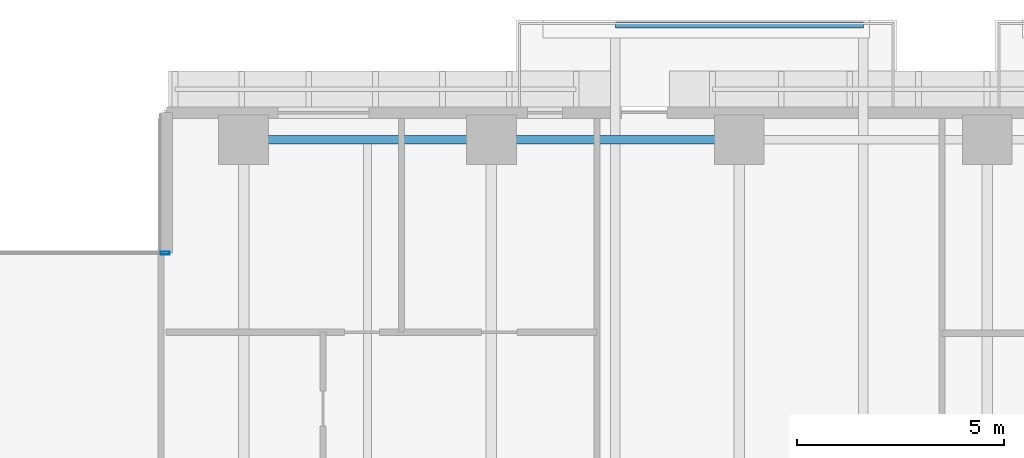
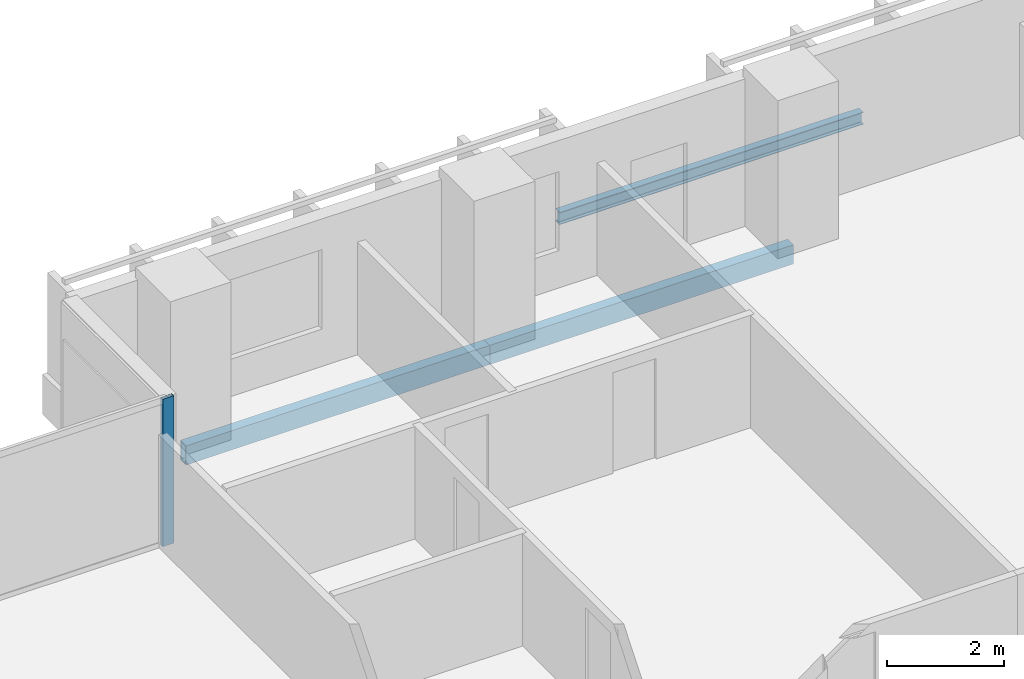
# One storey, part 12 of 33: 3 beams, 1 member, 1 element without a shape of its own.
"""IFC4 building model written with IfcOpenShell, lengths in metres."""

from ifc_helpers import new_model, si_unit, direction, frame, origin, origin_2d, place, context, subcontext, project, spatial, hollow_rectangle, i_section, extrude, material, layer, layer_set, material_profile, profile_set, type_object, element, aggregate, save


model = new_model("IFC4")

# Units and contexts
model_context = context("Model", 3, precision=1e-05, world=origin(), true_north=direction((0.0, 1.0)))
body_context = subcontext(model_context, "Body", "Model", "MODEL_VIEW")
ifc_project = project(units=[si_unit("LENGTHUNIT", "METRE"), si_unit("AREAUNIT", "SQUARE_METRE"), si_unit("VOLUMEUNIT", "CUBIC_METRE"), si_unit("PLANEANGLEUNIT", "RADIAN"), si_unit("MASSUNIT", "GRAM", prefix="KILO")], contexts=[model_context])

# Site, building, storey
site_placement = place(None, origin())
site = spatial("IfcSite", under=ifc_project, at=site_placement, CompositionType="ELEMENT")
building_placement = place(site_placement, origin())
building = spatial("IfcBuilding", under=site, at=building_placement, Name="Tanjung Sevakor Pilgrim Tower", CompositionType="ELEMENT")
storey_placement = place(building_placement, frame((0.0, 0.0, 52.139892578125)))
storey = spatial("IfcBuildingStorey", under=building, at=storey_placement, Name="L14", CompositionType="ELEMENT", Elevation=52.139892578125)

# Beams
ifc_material_1 = material(Name="Steel S355J2", Category="steel")
ifc_material_profile_1 = material_profile(ifc_material_1, i_section(OverallWidth=0.146484375, OverallDepth=0.256103515625, WebThickness=0.00634765625, FlangeThickness=0.010986328125, FilletRadius=0.007568359375, at=origin_2d()))
ifc_profile_set_1 = profile_set([ifc_material_profile_1], Name="Steel S355J2")
beam_type_1 = type_object("IfcBeamType", Name="BM-B-J6-UB_254x146x37", PredefinedType="JOIST", material=ifc_profile_set_1)
beam_placement = place(storey_placement, frame((63.0, 61.580078125, -0.327880859375), z_axis=(1.0, 0.0, 0.0), x_axis=(0.0, 1.0, 0.0)))
element("IfcBeam", 1, at=beam_placement, inside=storey, type_object=beam_type_1, Name="L14 Balcony Rim Tie MAIN-N2", PredefinedType="JOIST", context=body_context, shape_type="SweptSolid", body=[
    extrude(i_section(OverallWidth=0.146484375, OverallDepth=0.256103515625, WebThickness=0.00634765625, FlangeThickness=0.010986328125, FilletRadius=0.007568359375, at=origin_2d()), origin(), (0.0, 0.0, 1.0), 6.0),
])
ifc_material_2 = material(Name="Steel S355J2", Category="steel")
ifc_material_profile_2 = material_profile(ifc_material_2, hollow_rectangle(XDim=0.199951171875, YDim=0.39990234375, WallThickness=0.01611328125, at=origin_2d()))
ifc_profile_set_2 = profile_set([ifc_material_profile_2], Name="Steel S355J2")
beam_type_2 = type_object("IfcBeamType", Name="BM-B-SP2-RHS_400x200x16", PredefinedType="SPANDREL", material=ifc_profile_set_2)
for number, where, z_axis, x_axis, name in (
    (2, (54.0, 58.800048828125, -0.419921875), (1.0, 0.0, 0.0), (0.0, 1.0, 0.0), "L14 Spandrel MAIN N-08"),
    (3, (60.0, 58.800048828125, -0.419921875), (1.0, 0.0, 0.0), (0.0, 1.0, 0.0), "L14 Spandrel MAIN N-10"),
):
    element("IfcBeam", number, at=place(storey_placement, frame(where, z_axis=z_axis, x_axis=x_axis)), inside=storey, type_object=beam_type_2, Name=name, PredefinedType="SPANDREL", context=body_context, shape_type="SweptSolid", body=[
        extrude(hollow_rectangle(XDim=0.199951171875, YDim=0.39990234375, WallThickness=0.01611328125, at=origin_2d()), origin(), (0.0, 0.0, 1.0), 6.0),
    ])

# Curtain wall, member
ifc_material_3 = material(Name="Aluminium 6063-T6 and Low-E Glass", Category="aluminium")
ifc_layer = layer(ifc_material_3, 0.179931640625)
ifc_layer_set = layer_set([ifc_layer], Name="CW-SYS-CLEFT")
curtain_wall_type = type_object("IfcCurtainWallType", Name="CW-SYS-CLEFT", PredefinedType="NOTDEFINED", material=ifc_layer_set)
curtain_wall_placement = place(storey_placement, origin())
curtain_wall = element("IfcCurtainWall", 4, at=curtain_wall_placement, inside=storey, type_object=curtain_wall_type, Name="L14 Curtain Wall CW-CLF-L14-10", PredefinedType="NOTDEFINED")
ifc_material_4 = material(Name="Aluminium 6063-T6", Category="aluminium")
ifc_material_profile_3 = material_profile(ifc_material_4, hollow_rectangle(XDim=0.074951171875, YDim=0.219970703125, WallThickness=0.0048828125, at=origin_2d()))
ifc_profile_set_3 = profile_set([ifc_material_profile_3], Name="Aluminium 6063-T6")
member_type = type_object("IfcMemberType", Name="TYPE-CWM-2", PredefinedType="MULLION", material=ifc_profile_set_3)
member_placement = place(storey_placement, frame((52.1025390625, 56.06005859375, 0.0), z_axis=(0.0, 0.0, 1.0), x_axis=(0.0, -1.0, 0.0)))
member = element("IfcMember", 5, at=member_placement, type_object=member_type, Name="CW-CLF mullion 1", PredefinedType="MULLION", context=body_context, shape_type="SweptSolid", body=[
    extrude(hollow_rectangle(XDim=0.074951171875, YDim=0.219970703125, WallThickness=0.0048828125, at=origin_2d()), origin(), (0.0, 0.0, 1.0), 3.080078125),
])
aggregate(curtain_wall, [member])

save(model, "model.ifc")
